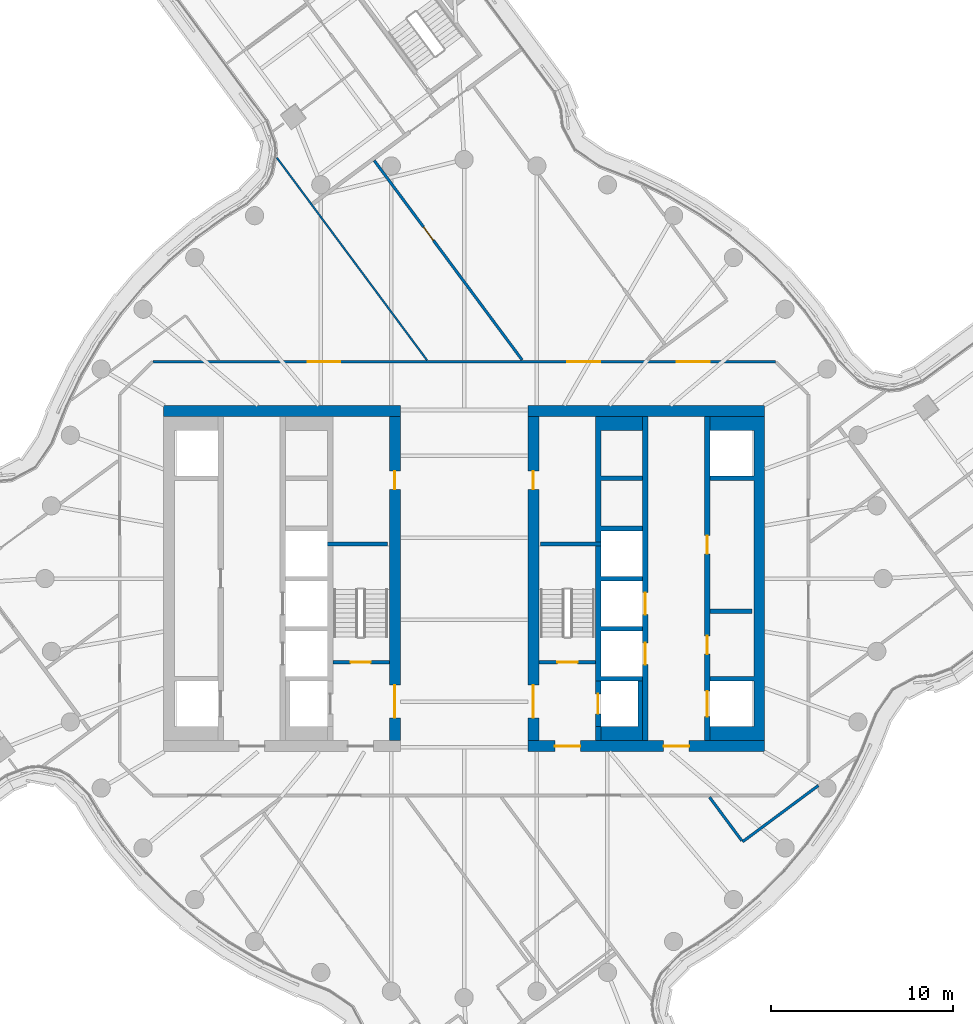
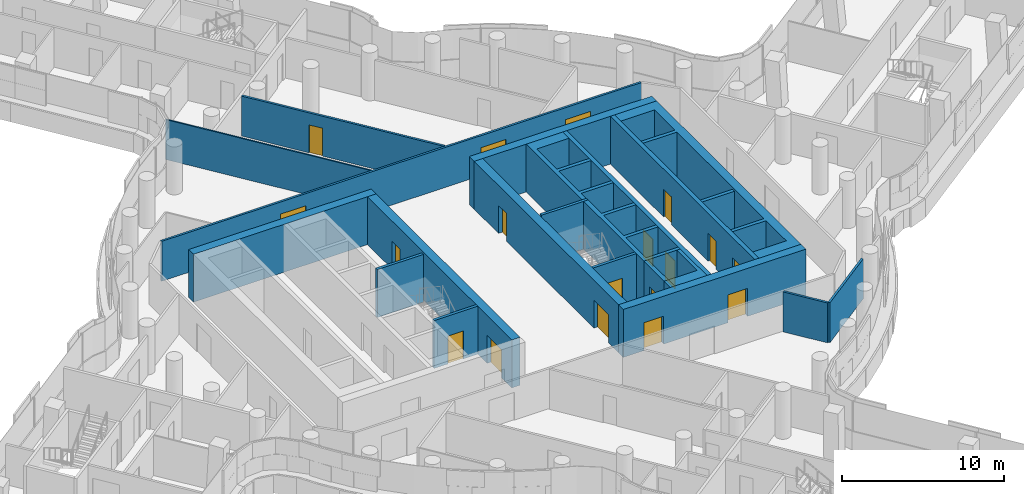
# One storey, part 22 of 32: 22 walls, 18 doors, 18 openings.
"""IFC4 building model written with IfcOpenShell, lengths in metres."""

from ifc_helpers import new_model, si_unit, direction, frame, frame_2d, origin, place, context, subcontext, project, spatial, polyline, rectangle, outline, extrude, material, layer, layer_set, type_object, element, fill, save


model = new_model("IFC4")

# Units and contexts
model_context = context("Model", 3, precision=1e-05, world=origin(), true_north=direction((0.0, 1.0)))
body_context = subcontext(model_context, "Body", "Model", "MODEL_VIEW")
ifc_project = project(units=[si_unit("LENGTHUNIT", "METRE"), si_unit("AREAUNIT", "SQUARE_METRE"), si_unit("VOLUMEUNIT", "CUBIC_METRE"), si_unit("PLANEANGLEUNIT", "RADIAN"), si_unit("MASSUNIT", "GRAM", prefix="KILO")], contexts=[model_context])

# Site, building, storey
site_placement = place(None, origin())
site = spatial("IfcSite", under=ifc_project, at=site_placement, CompositionType="ELEMENT")
building_placement = place(site_placement, origin())
building = spatial("IfcBuilding", under=site, at=building_placement, Name="Tamarind Cross Interchange Tower", CompositionType="ELEMENT")
storey_placement = place(building_placement, frame((0.0, 0.0, 166.75)))
storey = spatial("IfcBuildingStorey", under=building, at=storey_placement, Name="L41", CompositionType="ELEMENT", Elevation=166.75)

# Wall
ifc_material_1 = material(Name="Concrete C60", Category="concrete")
ifc_layer_1 = layer(ifc_material_1, 0.60009765625)
ifc_layer_set_1 = layer_set([ifc_layer_1], Name="Concrete C60")
wall_type_1 = type_object("IfcWallType", Name="Core wall 600 mm Concrete C60", PredefinedType="SHEAR", material=ifc_layer_set_1)
wall_1_placement = place(storey_placement, frame((-16.5, 9.199951171875, 0.0), z_axis=(0.0, 0.0, 1.0), x_axis=(1.0, 0.0, 0.0)))
element("IfcWall", 1, at=wall_1_placement, inside=storey, type_object=wall_type_1, Name="Core wall CWL-L41-W-NE", PredefinedType="SHEAR", context=body_context, shape_type="SweptSolid", body=[
    extrude(rectangle(XDim=13.0, YDim=0.60009765625, at=frame_2d((6.5, 0.0))), origin(), (0.0, 0.0, 1.0), 3.610107421875),
])

# Wall, openings, doors
wall_2_placement = place(storey_placement, frame((-3.800048828125, -8.89990234375, 0.0), z_axis=(0.0, 0.0, 1.0), x_axis=(0.0, 1.0, 0.0)))
wall_2 = element("IfcWall", 2, at=wall_2_placement, inside=storey, type_object=wall_type_1, Name="Core wall CWL-L41-W-IN", PredefinedType="SHEAR", context=body_context, shape_type="SweptSolid", body=[
    extrude(rectangle(XDim=17.7998046875, YDim=0.60009765625, at=frame_2d((8.89990234375, 0.0))), origin(), (0.0, 0.0, 1.0), 3.610107421875),
])
opening_1_placement = place(wall_2_placement, frame((1.25, 0.0, 0.0)))
opening_1 = element("IfcOpeningElement", 3, at=opening_1_placement, cuts=wall_2, Name="Opening DCW4", PredefinedType="OPENING", context=body_context, shape_type="SweptSolid", body=[
    extrude(rectangle(XDim=1.800048828125, YDim=2.10009765625, at=frame_2d((0.89990234375, 1.050048828125))), frame((0.0, 0.31005859375, 0.0), z_axis=(0.0, -1.0, 0.0), x_axis=(1.0, 0.0, 0.0)), (0.0, 0.0, 1.0), 0.6201171875),
])
opening_2_placement = place(wall_2_placement, frame((13.800048828125, 0.0, 0.0)))
opening_2 = element("IfcOpeningElement", 4, at=opening_2_placement, cuts=wall_2, Name="Opening DCW5", PredefinedType="OPENING", context=body_context, shape_type="SweptSolid", body=[
    extrude(rectangle(XDim=1.0, YDim=2.10009765625, at=frame_2d((0.5, 1.050048828125))), frame((0.0, 0.31005859375, 0.0), z_axis=(0.0, -1.0, 0.0), x_axis=(1.0, 0.0, 0.0)), (0.0, 0.0, 1.0), 0.6201171875),
])
ifc_material_2 = material(Name="Steel, fire-resisting", Category="steel")
door_type_1 = type_object("IfcDoorType", Name="Core fire door 1000 x 2100 FD90", OperationType="SINGLE_SWING_LEFT", PredefinedType="DOOR", material=ifc_material_2)
door_1_placement = place(opening_2_placement, origin())
door_1 = element("IfcDoor", 5, at=door_1_placement, inside=storey, type_object=door_type_1, Name="L41 riser room door", OperationType="SINGLE_SWING_LEFT", OverallHeight=2.10009765625, OverallWidth=1.0, PredefinedType="DOOR", context=body_context, shape_type="SweptSolid", body=[
    extrude(rectangle(XDim=1.0, YDim=2.10009765625, at=frame_2d((0.5, 1.050048828125))), frame((0.0, 0.02490234375, 0.0), z_axis=(0.0, -1.0, 0.0), x_axis=(1.0, 0.0, 0.0)), (0.0, 0.0, 1.0), 0.050048828125),
])
fill(opening_2, door_1)
door_type_2 = type_object("IfcDoorType", Name="Core fire door 1800 x 2100 FD90", OperationType="SINGLE_SWING_LEFT", PredefinedType="DOOR", material=ifc_material_2)
door_2_placement = place(opening_1_placement, origin())
door_2 = element("IfcDoor", 6, at=door_2_placement, inside=storey, type_object=door_type_2, Name="L41 firefighting lobby door", OperationType="SINGLE_SWING_LEFT", OverallHeight=2.10009765625, OverallWidth=1.800048828125, PredefinedType="DOOR", context=body_context, shape_type="SweptSolid", body=[
    extrude(rectangle(XDim=1.800048828125, YDim=2.10009765625, at=frame_2d((0.89990234375, 1.050048828125))), frame((0.0, 0.02490234375, 0.0), z_axis=(0.0, -1.0, 0.0), x_axis=(1.0, 0.0, 0.0)), (0.0, 0.0, 1.0), 0.050048828125),
])
fill(opening_1, door_2)

wall_3_placement = place(storey_placement, frame((16.5, -9.199951171875, 0.0), z_axis=(0.0, 0.0, 1.0), x_axis=(-1.0, 0.0, 0.0)))
wall_3 = element("IfcWall", 7, at=wall_3_placement, inside=storey, type_object=wall_type_1, Name="Core wall CWL-L41-E-S", PredefinedType="SHEAR", context=body_context, shape_type="SweptSolid", body=[
    extrude(rectangle(XDim=13.0, YDim=0.60009765625, at=frame_2d((6.5, 0.0))), origin(), (0.0, 0.0, 1.0), 3.610107421875),
])
opening_3_placement = place(wall_3_placement, frame((4.14990234375, 0.0, 0.0)))
opening_3 = element("IfcOpeningElement", 8, at=opening_3_placement, cuts=wall_3, Name="Opening DCE1", PredefinedType="OPENING", context=body_context, shape_type="SweptSolid", body=[
    extrude(rectangle(XDim=1.39990234375, YDim=2.10009765625, at=frame_2d((0.699951171875, 1.050048828125))), frame((0.0, 0.31005859375, 0.0), z_axis=(0.0, -1.0, 0.0), x_axis=(1.0, 0.0, 0.0)), (0.0, 0.0, 1.0), 0.6201171875),
])
opening_4_placement = place(wall_3_placement, frame((10.125, 0.0, 0.0)))
opening_4 = element("IfcOpeningElement", 9, at=opening_4_placement, cuts=wall_3, Name="Opening DCEF", PredefinedType="OPENING", context=body_context, shape_type="SweptSolid", body=[
    extrude(rectangle(XDim=1.39990234375, YDim=2.10009765625, at=frame_2d((0.699951171875, 1.050048828125))), frame((0.0, 0.31005859375, 0.0), z_axis=(0.0, -1.0, 0.0), x_axis=(1.0, 0.0, 0.0)), (0.0, 0.0, 1.0), 0.6201171875),
])
door_type_3 = type_object("IfcDoorType", Name="Core fire door 1400 x 2100 FD90", OperationType="SINGLE_SWING_LEFT", PredefinedType="DOOR", material=ifc_material_2)
door_3_placement = place(opening_3_placement, origin())
door_3 = element("IfcDoor", 10, at=door_3_placement, inside=storey, type_object=door_type_3, Name="L41 lift lobby door", OperationType="SINGLE_SWING_LEFT", OverallHeight=2.10009765625, OverallWidth=1.39990234375, PredefinedType="DOOR", context=body_context, shape_type="SweptSolid", body=[
    extrude(rectangle(XDim=1.39990234375, YDim=2.10009765625, at=frame_2d((0.699951171875, 1.050048828125))), frame((0.0, 0.02490234375, 0.0), z_axis=(0.0, -1.0, 0.0), x_axis=(1.0, 0.0, 0.0)), (0.0, 0.0, 1.0), 0.050048828125),
])
fill(opening_3, door_3)
door_4_placement = place(opening_4_placement, origin())
door_4 = element("IfcDoor", 11, at=door_4_placement, inside=storey, type_object=door_type_3, Name="L41 firefighting lobby end door", OperationType="SINGLE_SWING_LEFT", OverallHeight=2.10009765625, OverallWidth=1.39990234375, PredefinedType="DOOR", context=body_context, shape_type="SweptSolid", body=[
    extrude(rectangle(XDim=1.39990234375, YDim=2.10009765625, at=frame_2d((0.699951171875, 1.050048828125))), frame((0.0, 0.02490234375, 0.0), z_axis=(0.0, -1.0, 0.0), x_axis=(1.0, 0.0, 0.0)), (0.0, 0.0, 1.0), 0.050048828125),
])
fill(opening_4, door_4)

# Walls
wall_4_placement = place(storey_placement, origin())
element("IfcWall", 12, at=wall_4_placement, inside=storey, type_object=wall_type_1, Name="Core wall CWL-L41-E-A", PredefinedType="SHEAR", context=body_context, shape_type="SweptSolid", body=[
    extrude(outline(polyline([(13.5, -8.125), (13.5, -8.89990234375), (15.89990234375, -8.89990234375), (16.5, -8.89990234375), (16.5, 8.89990234375), (15.89990234375, 8.89990234375), (13.5, 8.89990234375), (13.5, 8.125), (15.89990234375, 8.125), (15.89990234375, 5.625), (13.5, 5.625), (13.5, 5.375), (15.89990234375, 5.375), (15.89990234375, -5.375), (13.5, -5.375), (13.5, -5.625), (15.89990234375, -5.625), (15.89990234375, -8.125), (13.5, -8.125)])), origin(), (0.0, 0.0, 1.0), 3.610107421875),
])
wall_5_placement = place(storey_placement, frame((16.5, 9.199951171875, 0.0), z_axis=(0.0, 0.0, 1.0), x_axis=(-1.0, 0.0, 0.0)))
element("IfcWall", 13, at=wall_5_placement, inside=storey, type_object=wall_type_1, Name="Core wall CWL-L41-E-NE", PredefinedType="SHEAR", context=body_context, shape_type="SweptSolid", body=[
    extrude(rectangle(XDim=13.0, YDim=0.60009765625, at=frame_2d((6.5, 0.0))), origin(), (0.0, 0.0, 1.0), 3.610107421875),
])

# Wall, openings, doors
wall_6_placement = place(storey_placement, frame((3.800048828125, -8.89990234375, 0.0), z_axis=(0.0, 0.0, 1.0), x_axis=(0.0, 1.0, 0.0)))
wall_6 = element("IfcWall", 14, at=wall_6_placement, inside=storey, type_object=wall_type_1, Name="Core wall CWL-L41-E-IN", PredefinedType="SHEAR", context=body_context, shape_type="SweptSolid", body=[
    extrude(rectangle(XDim=17.7998046875, YDim=0.60009765625, at=frame_2d((8.89990234375, 0.0))), origin(), (0.0, 0.0, 1.0), 3.610107421875),
])
opening_5_placement = place(wall_6_placement, frame((1.25, 0.0, 0.0)))
opening_5 = element("IfcOpeningElement", 15, at=opening_5_placement, cuts=wall_6, Name="Opening DCE4", PredefinedType="OPENING", context=body_context, shape_type="SweptSolid", body=[
    extrude(rectangle(XDim=1.800048828125, YDim=2.10009765625, at=frame_2d((0.89990234375, 1.050048828125))), frame((0.0, 0.31005859375, 0.0), z_axis=(0.0, -1.0, 0.0), x_axis=(1.0, 0.0, 0.0)), (0.0, 0.0, 1.0), 0.6201171875),
])
opening_6_placement = place(wall_6_placement, frame((13.800048828125, 0.0, 0.0)))
opening_6 = element("IfcOpeningElement", 16, at=opening_6_placement, cuts=wall_6, Name="Opening DCE5", PredefinedType="OPENING", context=body_context, shape_type="SweptSolid", body=[
    extrude(rectangle(XDim=1.0, YDim=2.10009765625, at=frame_2d((0.5, 1.050048828125))), frame((0.0, 0.31005859375, 0.0), z_axis=(0.0, -1.0, 0.0), x_axis=(1.0, 0.0, 0.0)), (0.0, 0.0, 1.0), 0.6201171875),
])
door_5_placement = place(opening_6_placement, origin())
door_5 = element("IfcDoor", 17, at=door_5_placement, inside=storey, type_object=door_type_1, Name="L41 riser room door", OperationType="SINGLE_SWING_LEFT", OverallHeight=2.10009765625, OverallWidth=1.0, PredefinedType="DOOR", context=body_context, shape_type="SweptSolid", body=[
    extrude(rectangle(XDim=1.0, YDim=2.10009765625, at=frame_2d((0.5, 1.050048828125))), frame((0.0, 0.02490234375, 0.0), z_axis=(0.0, -1.0, 0.0), x_axis=(1.0, 0.0, 0.0)), (0.0, 0.0, 1.0), 0.050048828125),
])
fill(opening_6, door_5)
door_6_placement = place(opening_5_placement, origin())
door_6 = element("IfcDoor", 18, at=door_6_placement, inside=storey, type_object=door_type_2, Name="L41 firefighting lobby door", OperationType="SINGLE_SWING_LEFT", OverallHeight=2.10009765625, OverallWidth=1.800048828125, PredefinedType="DOOR", context=body_context, shape_type="SweptSolid", body=[
    extrude(rectangle(XDim=1.800048828125, YDim=2.10009765625, at=frame_2d((0.89990234375, 1.050048828125))), frame((0.0, 0.02490234375, 0.0), z_axis=(0.0, -1.0, 0.0), x_axis=(1.0, 0.0, 0.0)), (0.0, 0.0, 1.0), 0.050048828125),
])
fill(opening_5, door_6)

# Walls
ifc_layer_2 = layer(ifc_material_1, 0.199951171875)
ifc_layer_set_2 = layer_set([ifc_layer_2], Name="Concrete C60")
wall_type_2 = type_object("IfcWallType", Name="Core web wall 200 mm Concrete C60", PredefinedType="SHEAR", material=ifc_layer_set_2)
for number, where, z_axis, x_axis, name in (
    (19, (-7.5, 1.89990234375, 0.0), (0.0, 0.0, 1.0), (1.0, 0.0, 0.0), "Core wall CWL-L41-W-BD"),
    (20, (7.5, 1.89990234375, 0.0), (0.0, 0.0, 1.0), (-1.0, 0.0, 0.0), "Core wall CWL-L41-E-BD"),
):
    element("IfcWall", number, at=place(storey_placement, frame(where, z_axis=z_axis, x_axis=x_axis)), inside=storey, type_object=wall_type_2, Name=name, PredefinedType="SHEAR", context=body_context, shape_type="SweptSolid", body=[
        extrude(rectangle(XDim=3.300048828125, YDim=0.199951171875, at=frame_2d((1.64990234375, 0.0))), origin(), (0.0, 0.0, 1.0), 3.610107421875),
    ])
ifc_layer_3 = layer(ifc_material_1, 0.300048828125)
ifc_layer_set_3 = layer_set([ifc_layer_3], Name="Concrete C60")
wall_type_3 = type_object("IfcWallType", Name="Core web wall 300 mm Concrete C60", PredefinedType="SHEAR", material=ifc_layer_set_3)
wall_7_placement = place(storey_placement, origin())
element("IfcWall", 21, at=wall_7_placement, inside=storey, type_object=wall_type_3, Name="Core wall CWL-L41-E-BN", PredefinedType="SHEAR", context=body_context, shape_type="SweptSolid", body=[
    extrude(outline(polyline([(9.800048828125, -5.375), (7.5, -5.375), (7.5, -2.875), (9.800048828125, -2.875), (9.800048828125, -2.625), (7.5, -2.625), (7.5, -0.125), (9.800048828125, -0.125), (9.800048828125, 0.125), (7.5, 0.125), (7.5, 2.625), (9.800048828125, 2.625), (9.800048828125, 2.875), (7.5, 2.875), (7.5, 5.375), (9.800048828125, 5.375), (9.800048828125, 5.625), (7.5, 5.625), (7.5, 8.125), (9.800048828125, 8.125), (9.800048828125, 8.89990234375), (7.5, 8.89990234375), (7.199951171875, 8.89990234375), (7.199951171875, -5.625), (7.5, -5.625), (9.800048828125, -5.625), (9.800048828125, -5.375)])), origin(), (0.0, 0.0, 1.0), 3.610107421875),
])
wall_8_placement = place(storey_placement, origin())
element("IfcWall", 22, at=wall_8_placement, inside=storey, type_object=wall_type_3, Name="Core wall CWL-L41-E-BS", PredefinedType="SHEAR", context=body_context, shape_type="SweptSolid", body=[
    extrude(outline(polyline([(7.5, -8.125), (7.5, -8.89990234375), (9.800048828125, -8.89990234375), (9.800048828125, -8.125), (9.800048828125, -5.625), (9.550048828125, -5.625), (9.550048828125, -8.125), (7.5, -8.125)])), origin(), (0.0, 0.0, 1.0), 3.610107421875),
])
wall_9_placement = place(storey_placement, frame((7.35009765625, -8.89990234375, 0.0), z_axis=(0.0, 0.0, 1.0), x_axis=(0.0, 1.0, 0.0)))
element("IfcWall", 23, at=wall_9_placement, inside=storey, type_object=wall_type_3, Name="Core wall CWL-L41-E-BW", PredefinedType="SHEAR", context=body_context, shape_type="SweptSolid", body=[
    extrude(rectangle(XDim=0.77490234375, YDim=0.300048828125, at=frame_2d((0.387451171875, 0.0))), origin(), (0.0, 0.0, 1.0), 3.610107421875),
])

# Wall, openings, doors
wall_10_placement = place(storey_placement, frame((13.35009765625, -8.89990234375, 0.0), z_axis=(0.0, 0.0, 1.0), x_axis=(0.0, 1.0, 0.0)))
wall_10 = element("IfcWall", 24, at=wall_10_placement, inside=storey, type_object=wall_type_3, Name="Core wall CWL-L41-E-LA", PredefinedType="SHEAR", context=body_context, shape_type="SweptSolid", body=[
    extrude(rectangle(XDim=17.7998046875, YDim=0.300048828125, at=frame_2d((8.89990234375, 0.0))), origin(), (0.0, 0.0, 1.0), 3.610107421875),
])
opening_7_placement = place(wall_10_placement, frame((1.324951171875, 0.0, 0.0)))
opening_7 = element("IfcOpeningElement", 25, at=opening_7_placement, cuts=wall_10, Name="Opening LD13L41", PredefinedType="OPENING", context=body_context, shape_type="SweptSolid", body=[
    extrude(rectangle(XDim=1.39990234375, YDim=2.10009765625, at=frame_2d((0.699951171875, 1.050048828125))), frame((0.0, 0.159912109375, 0.0), z_axis=(0.0, -1.0, 0.0), x_axis=(1.0, 0.0, 0.0)), (0.0, 0.0, 1.0), 0.320068359375),
])
opening_8_placement = place(wall_10_placement, frame((4.75390625, 0.0, 0.0)))
opening_8 = element("IfcOpeningElement", 26, at=opening_8_placement, cuts=wall_10, Name="Opening DCE9", PredefinedType="OPENING", context=body_context, shape_type="SweptSolid", body=[
    extrude(rectangle(XDim=1.0, YDim=2.10009765625, at=frame_2d((0.5, 1.050048828125))), frame((0.0, 0.159912109375, 0.0), z_axis=(0.0, -1.0, 0.0), x_axis=(1.0, 0.0, 0.0)), (0.0, 0.0, 1.0), 0.320068359375),
])
opening_9_placement = place(wall_10_placement, frame((10.25390625, 0.0, 0.0)))
opening_9 = element("IfcOpeningElement", 27, at=opening_9_placement, cuts=wall_10, Name="Opening DCE10", PredefinedType="OPENING", context=body_context, shape_type="SweptSolid", body=[
    extrude(rectangle(XDim=1.0, YDim=2.10009765625, at=frame_2d((0.5, 1.050048828125))), frame((0.0, 0.159912109375, 0.0), z_axis=(0.0, -1.0, 0.0), x_axis=(1.0, 0.0, 0.0)), (0.0, 0.0, 1.0), 0.320068359375),
])
door_7_placement = place(opening_8_placement, origin())
door_7 = element("IfcDoor", 28, at=door_7_placement, inside=storey, type_object=door_type_1, Name="L41 Comms room door", OperationType="SINGLE_SWING_LEFT", OverallHeight=2.10009765625, OverallWidth=1.0, PredefinedType="DOOR", context=body_context, shape_type="SweptSolid", body=[
    extrude(rectangle(XDim=1.0, YDim=2.10009765625, at=frame_2d((0.5, 1.050048828125))), frame((0.0, 0.02490234375, 0.0), z_axis=(0.0, -1.0, 0.0), x_axis=(1.0, 0.0, 0.0)), (0.0, 0.0, 1.0), 0.050048828125),
])
fill(opening_8, door_7)
door_8_placement = place(opening_9_placement, origin())
door_8 = element("IfcDoor", 29, at=door_8_placement, inside=storey, type_object=door_type_1, Name="L41 Cleaner's store door", OperationType="SINGLE_SWING_LEFT", OverallHeight=2.10009765625, OverallWidth=1.0, PredefinedType="DOOR", context=body_context, shape_type="SweptSolid", body=[
    extrude(rectangle(XDim=1.0, YDim=2.10009765625, at=frame_2d((0.5, 1.050048828125))), frame((0.0, 0.02490234375, 0.0), z_axis=(0.0, -1.0, 0.0), x_axis=(1.0, 0.0, 0.0)), (0.0, 0.0, 1.0), 0.050048828125),
])
fill(opening_9, door_8)
ifc_material_3 = material(Name="Stainless steel panel", Category="steel")
door_type_4 = type_object("IfcDoorType", Name="Lift landing door 1400 x 2100 E 120", OperationType="SLIDING_TO_LEFT", PredefinedType="DOOR", material=ifc_material_3)
door_9_placement = place(opening_7_placement, origin())
door_9 = element("IfcDoor", 30, at=door_9_placement, inside=storey, type_object=door_type_4, Name="L41 landing door LF13", OperationType="SLIDING_TO_LEFT", OverallHeight=2.10009765625, OverallWidth=1.39990234375, PredefinedType="DOOR", context=body_context, shape_type="SweptSolid", body=[
    extrude(rectangle(XDim=1.39990234375, YDim=2.10009765625, at=frame_2d((0.699951171875, 1.050048828125))), frame((0.0, 0.02490234375, 0.0), z_axis=(0.0, -1.0, 0.0), x_axis=(1.0, 0.0, 0.0)), (0.0, 0.0, 1.0), 0.050048828125),
])
fill(opening_7, door_9)

wall_11_placement = place(storey_placement, frame((9.949951171875, -8.89990234375, 0.0), z_axis=(0.0, 0.0, 1.0), x_axis=(0.0, 1.0, 0.0)))
wall_11 = element("IfcWall", 31, at=wall_11_placement, inside=storey, type_object=wall_type_3, Name="Core wall CWL-L41-E-LB", PredefinedType="SHEAR", context=body_context, shape_type="SweptSolid", body=[
    extrude(rectangle(XDim=17.7998046875, YDim=0.300048828125, at=frame_2d((8.89990234375, 0.0))), origin(), (0.0, 0.0, 1.0), 3.610107421875),
])
opening_10_placement = place(wall_11_placement, frame((4.175048828125, 0.0, 0.0)))
opening_10 = element("IfcOpeningElement", 32, at=opening_10_placement, cuts=wall_11, Name="Opening LD20L41", PredefinedType="OPENING", context=body_context, shape_type="SweptSolid", body=[
    extrude(rectangle(XDim=1.199951171875, YDim=2.10009765625, at=frame_2d((0.60009765625, 1.050048828125))), frame((0.0, 0.159912109375, 0.0), z_axis=(0.0, -1.0, 0.0), x_axis=(1.0, 0.0, 0.0)), (0.0, 0.0, 1.0), 0.320068359375),
])
opening_11_placement = place(wall_11_placement, frame((6.925048828125, 0.0, 0.0)))
opening_11 = element("IfcOpeningElement", 33, at=opening_11_placement, cuts=wall_11, Name="Opening LD21L41", PredefinedType="OPENING", context=body_context, shape_type="SweptSolid", body=[
    extrude(rectangle(XDim=1.199951171875, YDim=2.10009765625, at=frame_2d((0.60009765625, 1.050048828125))), frame((0.0, 0.159912109375, 0.0), z_axis=(0.0, -1.0, 0.0), x_axis=(1.0, 0.0, 0.0)), (0.0, 0.0, 1.0), 0.320068359375),
])
door_type_5 = type_object("IfcDoorType", Name="Lift landing door 1200 x 2100 E 120", OperationType="SLIDING_TO_LEFT", PredefinedType="DOOR", material=ifc_material_3)
door_10_placement = place(opening_10_placement, origin())
door_10 = element("IfcDoor", 34, at=door_10_placement, inside=storey, type_object=door_type_5, Name="L41 landing door LF20", OperationType="SLIDING_TO_LEFT", OverallHeight=2.10009765625, OverallWidth=1.199951171875, PredefinedType="DOOR", context=body_context, shape_type="SweptSolid", body=[
    extrude(rectangle(XDim=1.199951171875, YDim=2.10009765625, at=frame_2d((0.60009765625, 1.050048828125))), frame((0.0, 0.02490234375, 0.0), z_axis=(0.0, -1.0, 0.0), x_axis=(1.0, 0.0, 0.0)), (0.0, 0.0, 1.0), 0.050048828125),
])
fill(opening_10, door_10)
door_11_placement = place(opening_11_placement, origin())
door_11 = element("IfcDoor", 35, at=door_11_placement, inside=storey, type_object=door_type_5, Name="L41 landing door LF21", OperationType="SLIDING_TO_LEFT", OverallHeight=2.10009765625, OverallWidth=1.199951171875, PredefinedType="DOOR", context=body_context, shape_type="SweptSolid", body=[
    extrude(rectangle(XDim=1.199951171875, YDim=2.10009765625, at=frame_2d((0.60009765625, 1.050048828125))), frame((0.0, 0.02490234375, 0.0), z_axis=(0.0, -1.0, 0.0), x_axis=(1.0, 0.0, 0.0)), (0.0, 0.0, 1.0), 0.050048828125),
])
fill(opening_11, door_11)

# Wall, opening, door
wall_12_placement = place(storey_placement, frame((7.35009765625, -8.125, 0.0), z_axis=(0.0, 0.0, 1.0), x_axis=(0.0, 1.0, 0.0)))
wall_12 = element("IfcWall", 36, at=wall_12_placement, inside=storey, type_object=wall_type_3, Name="Core wall CWL-L41-E-FF", PredefinedType="SHEAR", context=body_context, shape_type="SweptSolid", body=[
    extrude(rectangle(XDim=2.5, YDim=0.300048828125, at=frame_2d((1.25, 0.0))), origin(), (0.0, 0.0, 1.0), 3.610107421875),
])
opening_12_placement = place(wall_12_placement, frame((0.699951171875, 0.0, 0.0)))
opening_12 = element("IfcOpeningElement", 37, at=opening_12_placement, cuts=wall_12, Name="Opening LD19L41", PredefinedType="OPENING", context=body_context, shape_type="SweptSolid", body=[
    extrude(rectangle(XDim=1.10009765625, YDim=2.10009765625, at=frame_2d((0.550048828125, 1.050048828125))), frame((0.0, 0.159912109375, 0.0), z_axis=(0.0, -1.0, 0.0), x_axis=(1.0, 0.0, 0.0)), (0.0, 0.0, 1.0), 0.320068359375),
])
door_type_6 = type_object("IfcDoorType", Name="Lift landing door 1100 x 2100 E 120", OperationType="SLIDING_TO_LEFT", PredefinedType="DOOR", material=ifc_material_3)
door_12_placement = place(opening_12_placement, origin())
door_12 = element("IfcDoor", 38, at=door_12_placement, inside=storey, type_object=door_type_6, Name="L41 landing door LF19", OperationType="SLIDING_TO_LEFT", OverallHeight=2.10009765625, OverallWidth=1.10009765625, PredefinedType="DOOR", context=body_context, shape_type="SweptSolid", body=[
    extrude(rectangle(XDim=1.10009765625, YDim=2.10009765625, at=frame_2d((0.550048828125, 1.050048828125))), frame((0.0, 0.02490234375, 0.0), z_axis=(0.0, -1.0, 0.0), x_axis=(1.0, 0.0, 0.0)), (0.0, 0.0, 1.0), 0.050048828125),
])
fill(opening_12, door_12)

# Wall
ifc_material_4 = material(Name="Gypsum board partition on steel studs", Category="steel")
ifc_layer_4 = layer(ifc_material_4, 0.10009765625)
ifc_layer_set_4 = layer_set([ifc_layer_4], Name="Gypsum board partition on steel studs")
wall_type_4 = type_object("IfcWallType", Name="Partition 100 mm EI 90", PredefinedType="PARTITIONING", material=ifc_layer_set_4)
wall_13_placement = place(storey_placement, frame((-10.280029296875, 23.101806640625, 0.0), z_axis=(0.0, 0.0, 1.0), x_axis=(0.595748539786, -0.803171013759, 0.0)))
element("IfcWall", 39, at=wall_13_placement, inside=storey, type_object=wall_type_4, Name="Partition L41-014", PredefinedType="PARTITIONING", context=body_context, shape_type="SweptSolid", body=[
    extrude(rectangle(XDim=13.837158203125, YDim=0.10009765625, at=frame_2d((6.91845703125, 0.0))), origin(), (0.0, 0.0, 1.0), 3.010009765625),
])

# Wall, opening, door
ifc_layer_5 = layer(ifc_material_4, 0.14990234375)
ifc_layer_set_5 = layer_set([ifc_layer_5], Name="Gypsum board partition on steel studs")
wall_type_5 = type_object("IfcWallType", Name="Partition 150 mm EI 120", PredefinedType="PARTITIONING", material=ifc_layer_set_5)
wall_14_placement = place(storey_placement, frame((-4.935302734375, 22.94580078125, 0.0), z_axis=(0.0, 0.0, 1.0), x_axis=(0.595807043393, -0.803127615665, 0.0)))
wall_14 = element("IfcWall", 40, at=wall_14_placement, inside=storey, type_object=wall_type_5, Name="Partition L41-015", PredefinedType="PARTITIONING", context=body_context, shape_type="SweptSolid", body=[
    extrude(rectangle(XDim=13.62841796875, YDim=0.14990234375, at=frame_2d((6.814208984375, 0.0))), origin(), (0.0, 0.0, 1.0), 3.010009765625),
])
opening_13_placement = place(wall_14_placement, frame((4.550048828125, 0.0, 0.0)))
opening_13 = element("IfcOpeningElement", 41, at=opening_13_placement, cuts=wall_14, Name="Opening D11", PredefinedType="OPENING", context=body_context, shape_type="SweptSolid", body=[
    extrude(rectangle(XDim=0.89990234375, YDim=2.10009765625, at=frame_2d((0.449951171875, 1.050048828125))), frame((0.0, 0.0849609375, 0.0), z_axis=(0.0, -1.0, 0.0), x_axis=(1.0, 0.0, 0.0)), (0.0, 0.0, 1.0), 0.169921875),
])
ifc_material_5 = material(Name="Fire-resisting door set")
door_type_7 = type_object("IfcDoorType", Name="Interior door 900 x 2100 FD60S", OperationType="SINGLE_SWING_LEFT", PredefinedType="DOOR", material=ifc_material_5)
door_13_placement = place(opening_13_placement, frame((0.89990234375, 0.0, 0.0), z_axis=(0.0, 0.0, 1.0), x_axis=(-1.0, 0.0, 0.0)))
door_13 = element("IfcDoor", 42, at=door_13_placement, inside=storey, type_object=door_type_7, Name="Door D11", OperationType="SINGLE_SWING_LEFT", OverallHeight=2.10009765625, OverallWidth=0.89990234375, PredefinedType="DOOR", context=body_context, shape_type="SweptSolid", body=[
    extrude(rectangle(XDim=0.89990234375, YDim=2.10009765625, at=frame_2d((0.449951171875, 1.050048828125))), frame((0.0, 0.02490234375, 0.0), z_axis=(0.0, -1.0, 0.0), x_axis=(1.0, 0.0, 0.0)), (0.0, 0.0, 1.0), 0.050048828125),
])
fill(opening_13, door_13)

# Wall
wall_15_placement = place(storey_placement, frame((13.470458984375, -12.00048828125, 0.0), z_axis=(0.0, 0.0, 1.0), x_axis=(0.595807571088, -0.803127224189, 0.0)))
element("IfcWall", 43, at=wall_15_placement, inside=storey, type_object=wall_type_5, Name="Partition L41-027", PredefinedType="PARTITIONING", context=body_context, shape_type="SweptSolid", body=[
    extrude(rectangle(XDim=2.96875, YDim=0.14990234375, at=frame_2d((1.484375, 0.0))), origin(), (0.0, 0.0, 1.0), 3.010009765625),
])

# Wall, openings, doors
wall_16_placement = place(storey_placement, frame((-17.06494140625, 11.89990234375, 0.0), z_axis=(0.0, 0.0, 1.0), x_axis=(1.0, 0.0, 0.0)))
wall_16 = element("IfcWall", 44, at=wall_16_placement, inside=storey, type_object=wall_type_5, Name="Partition L41-034", PredefinedType="PARTITIONING", context=body_context, shape_type="SweptSolid", body=[
    extrude(rectangle(XDim=34.1650390625, YDim=0.14990234375, at=frame_2d((17.08251953125, 0.0))), origin(), (0.0, 0.0, 1.0), 3.010009765625),
])
opening_14_placement = place(wall_16_placement, frame((22.72412109375, 0.0, 0.0)))
opening_14 = element("IfcOpeningElement", 45, at=opening_14_placement, cuts=wall_16, Name="Opening D25", PredefinedType="OPENING", context=body_context, shape_type="SweptSolid", body=[
    extrude(rectangle(XDim=1.800048828125, YDim=2.10009765625, at=frame_2d((0.89990234375, 1.050048828125))), frame((0.0, 0.0849609375, 0.0), z_axis=(0.0, -1.0, 0.0), x_axis=(1.0, 0.0, 0.0)), (0.0, 0.0, 1.0), 0.169921875),
])
opening_15_placement = place(wall_16_placement, frame((28.748046875, 0.0, 0.0)))
opening_15 = element("IfcOpeningElement", 46, at=opening_15_placement, cuts=wall_16, Name="Opening D26", PredefinedType="OPENING", context=body_context, shape_type="SweptSolid", body=[
    extrude(rectangle(XDim=1.800048828125, YDim=2.10009765625, at=frame_2d((0.89990234375, 1.050048828125))), frame((0.0, 0.0849609375, 0.0), z_axis=(0.0, -1.0, 0.0), x_axis=(1.0, 0.0, 0.0)), (0.0, 0.0, 1.0), 0.169921875),
])
opening_16_placement = place(wall_16_placement, frame((8.468994140625, 0.0, 0.0)))
opening_16 = element("IfcOpeningElement", 47, at=opening_16_placement, cuts=wall_16, Name="Opening D27", PredefinedType="OPENING", context=body_context, shape_type="SweptSolid", body=[
    extrude(rectangle(XDim=1.800048828125, YDim=2.10009765625, at=frame_2d((0.89990234375, 1.050048828125))), frame((0.0, 0.0849609375, 0.0), z_axis=(0.0, -1.0, 0.0), x_axis=(1.0, 0.0, 0.0)), (0.0, 0.0, 1.0), 0.169921875),
])
door_type_8 = type_object("IfcDoorType", Name="Interior door 1800 x 2100 FD60S", OperationType="DOUBLE_DOOR_SINGLE_SWING", PredefinedType="DOOR", material=ifc_material_5)
door_14_placement = place(opening_14_placement, frame((1.800048828125, 0.0, 0.0), z_axis=(0.0, 0.0, 1.0), x_axis=(-1.0, 0.0, 0.0)))
door_14 = element("IfcDoor", 48, at=door_14_placement, inside=storey, type_object=door_type_8, Name="Door D25", OperationType="DOUBLE_DOOR_SINGLE_SWING", OverallHeight=2.10009765625, OverallWidth=1.800048828125, PredefinedType="DOOR", context=body_context, shape_type="SweptSolid", body=[
    extrude(rectangle(XDim=1.800048828125, YDim=2.10009765625, at=frame_2d((0.89990234375, 1.050048828125))), frame((0.0, 0.02490234375, 0.0), z_axis=(0.0, -1.0, 0.0), x_axis=(1.0, 0.0, 0.0)), (0.0, 0.0, 1.0), 0.050048828125),
])
fill(opening_14, door_14)
door_15_placement = place(opening_15_placement, origin())
door_15 = element("IfcDoor", 49, at=door_15_placement, inside=storey, type_object=door_type_8, Name="Door D26", OperationType="DOUBLE_DOOR_SINGLE_SWING", OverallHeight=2.10009765625, OverallWidth=1.800048828125, PredefinedType="DOOR", context=body_context, shape_type="SweptSolid", body=[
    extrude(rectangle(XDim=1.800048828125, YDim=2.10009765625, at=frame_2d((0.89990234375, 1.050048828125))), frame((0.0, 0.02490234375, 0.0), z_axis=(0.0, -1.0, 0.0), x_axis=(1.0, 0.0, 0.0)), (0.0, 0.0, 1.0), 0.050048828125),
])
fill(opening_15, door_15)
door_16_placement = place(opening_16_placement, origin())
door_16 = element("IfcDoor", 50, at=door_16_placement, inside=storey, type_object=door_type_8, Name="Door D27", OperationType="DOUBLE_DOOR_SINGLE_SWING", OverallHeight=2.10009765625, OverallWidth=1.800048828125, PredefinedType="DOOR", context=body_context, shape_type="SweptSolid", body=[
    extrude(rectangle(XDim=1.800048828125, YDim=2.10009765625, at=frame_2d((0.89990234375, 1.050048828125))), frame((0.0, 0.02490234375, 0.0), z_axis=(0.0, -1.0, 0.0), x_axis=(1.0, 0.0, 0.0)), (0.0, 0.0, 1.0), 0.050048828125),
])
fill(opening_16, door_16)

# Walls
wall_17_placement = place(storey_placement, frame((15.283935546875, -14.445068359375, 0.0), z_axis=(0.0, 0.0, 1.0), x_axis=(0.803131470392, 0.595801847317, 0.0)))
element("IfcWall", 51, at=wall_17_placement, inside=storey, type_object=wall_type_5, Name="Partition L41-066", PredefinedType="PARTITIONING", context=body_context, shape_type="SweptSolid", body=[
    extrude(rectangle(XDim=5.18359375, YDim=0.14990234375, at=frame_2d((2.591796875, 0.0))), origin(), (0.0, 0.0, 1.0), 3.010009765625),
])
ifc_material_6 = material(Name="Concrete C40", Category="concrete")
ifc_layer_6 = layer(ifc_material_6, 0.25)
ifc_layer_set_6 = layer_set([ifc_layer_6], Name="Concrete C40")
wall_type_6 = type_object("IfcWallType", Name="Shaft and lobby wall 250 mm Concrete C40", PredefinedType="PARTITIONING", material=ifc_layer_set_6)
wall_18_placement = place(storey_placement, frame((15.800048828125, -1.7919921875, 0.0), z_axis=(0.0, 0.0, 1.0), x_axis=(-1.0, 0.0, 0.0)))
element("IfcWall", 52, at=wall_18_placement, inside=storey, type_object=wall_type_6, Name="Shaft wall CWL-L41-E-FPA1", PredefinedType="PARTITIONING", context=body_context, shape_type="SweptSolid", body=[
    extrude(rectangle(XDim=2.300048828125, YDim=0.25, at=frame_2d((1.14990234375, 0.0))), origin(), (0.0, 0.0, 1.0), 3.610107421875),
])

# Wall, opening, door
ifc_layer_7 = layer(ifc_material_6, 0.199951171875)
ifc_layer_set_7 = layer_set([ifc_layer_7], Name="Concrete C40")
wall_type_7 = type_object("IfcWallType", Name="Stair shaft wall 200 mm Concrete C40", PredefinedType="SHEAR", material=ifc_layer_set_7)
wall_19_placement = place(storey_placement, frame((-7.199951171875, -4.60009765625, 0.0), z_axis=(0.0, 0.0, 1.0), x_axis=(1.0, 0.0, 0.0)))
wall_19 = element("IfcWall", 53, at=wall_19_placement, inside=storey, type_object=wall_type_7, Name="Core wall CWL-L41-W-SD", PredefinedType="SHEAR", context=body_context, shape_type="SweptSolid", body=[
    extrude(rectangle(XDim=3.099853515625, YDim=0.199951171875, at=frame_2d((1.5498046875, 0.0))), origin(), (0.0, 0.0, 1.0), 3.610107421875),
])
opening_17_placement = place(wall_19_placement, frame((0.97509765625, 0.0, 0.0)))
opening_17 = element("IfcOpeningElement", 54, at=opening_17_placement, cuts=wall_19, Name="Opening DCW6", PredefinedType="OPENING", context=body_context, shape_type="SweptSolid", body=[
    extrude(rectangle(XDim=1.10009765625, YDim=2.10009765625, at=frame_2d((0.550048828125, 1.050048828125))), frame((0.0, 0.10986328125, 0.0), z_axis=(0.0, -1.0, 0.0), x_axis=(1.0, 0.0, 0.0)), (0.0, 0.0, 1.0), 0.219970703125),
])
door_type_9 = type_object("IfcDoorType", Name="Core fire door 1100 x 2100 FD90", OperationType="SINGLE_SWING_LEFT", PredefinedType="DOOR", material=ifc_material_2)
door_17_placement = place(opening_17_placement, origin())
door_17 = element("IfcDoor", 55, at=door_17_placement, inside=storey, type_object=door_type_9, Name="L41 stair door", OperationType="SINGLE_SWING_LEFT", OverallHeight=2.10009765625, OverallWidth=1.10009765625, PredefinedType="DOOR", context=body_context, shape_type="SweptSolid", body=[
    extrude(rectangle(XDim=1.10009765625, YDim=2.10009765625, at=frame_2d((0.550048828125, 1.050048828125))), frame((0.0, 0.02490234375, 0.0), z_axis=(0.0, -1.0, 0.0), x_axis=(1.0, 0.0, 0.0)), (0.0, 0.0, 1.0), 0.050048828125),
])
fill(opening_17, door_17)

wall_20_placement = place(storey_placement, frame((7.199951171875, -4.60009765625, 0.0), z_axis=(0.0, 0.0, 1.0), x_axis=(-1.0, 0.0, 0.0)))
wall_20 = element("IfcWall", 56, at=wall_20_placement, inside=storey, type_object=wall_type_7, Name="Core wall CWL-L41-E-SD", PredefinedType="SHEAR", context=body_context, shape_type="SweptSolid", body=[
    extrude(rectangle(XDim=3.099853515625, YDim=0.199951171875, at=frame_2d((1.5498046875, 0.0))), origin(), (0.0, 0.0, 1.0), 3.610107421875),
])
opening_18_placement = place(wall_20_placement, frame((0.97509765625, 0.0, 0.0)))
opening_18 = element("IfcOpeningElement", 57, at=opening_18_placement, cuts=wall_20, Name="Opening DCE6", PredefinedType="OPENING", context=body_context, shape_type="SweptSolid", body=[
    extrude(rectangle(XDim=1.10009765625, YDim=2.10009765625, at=frame_2d((0.550048828125, 1.050048828125))), frame((0.0, 0.10986328125, 0.0), z_axis=(0.0, -1.0, 0.0), x_axis=(1.0, 0.0, 0.0)), (0.0, 0.0, 1.0), 0.219970703125),
])
door_18_placement = place(opening_18_placement, origin())
door_18 = element("IfcDoor", 58, at=door_18_placement, inside=storey, type_object=door_type_9, Name="L41 stair door", OperationType="SINGLE_SWING_LEFT", OverallHeight=2.10009765625, OverallWidth=1.10009765625, PredefinedType="DOOR", context=body_context, shape_type="SweptSolid", body=[
    extrude(rectangle(XDim=1.10009765625, YDim=2.10009765625, at=frame_2d((0.550048828125, 1.050048828125))), frame((0.0, 0.02490234375, 0.0), z_axis=(0.0, -1.0, 0.0), x_axis=(1.0, 0.0, 0.0)), (0.0, 0.0, 1.0), 0.050048828125),
])
fill(opening_18, door_18)

save(model, "model.ifc")
